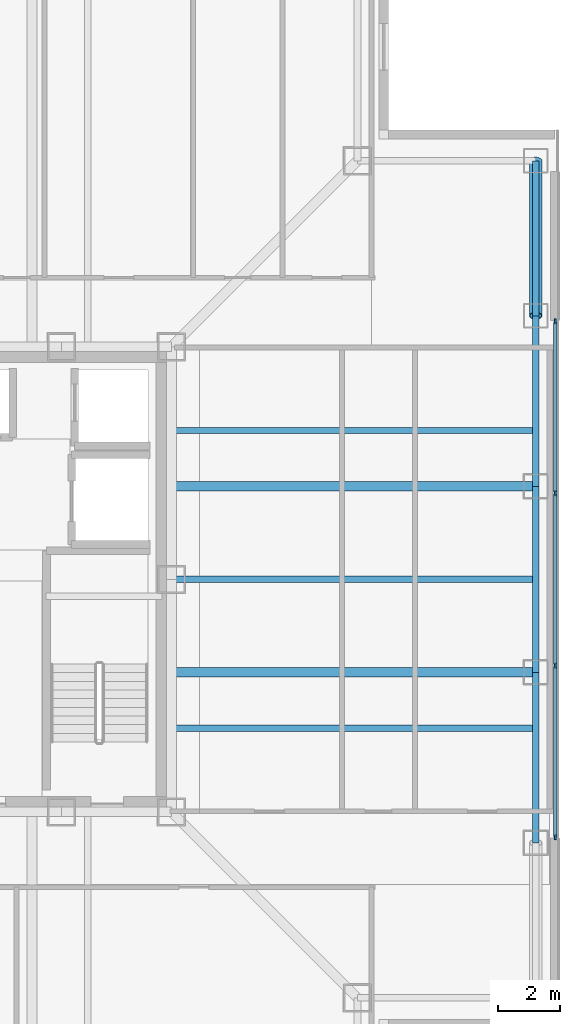
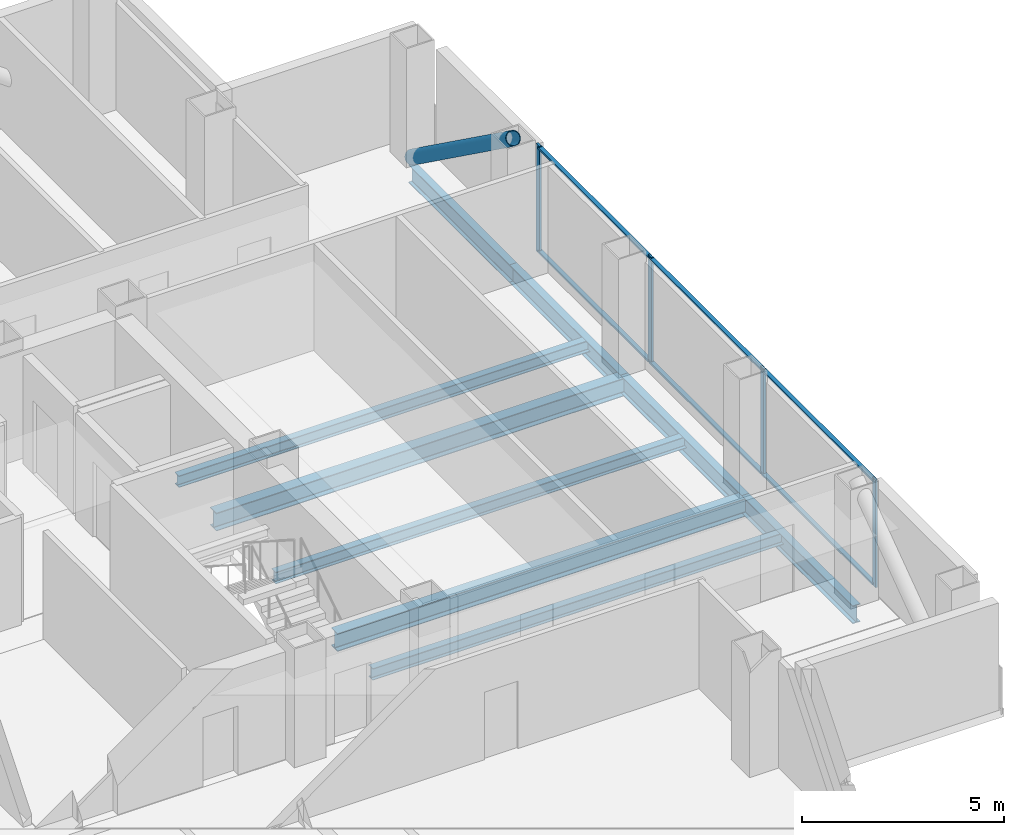
# One storey, part 6 of 16: 11 members, 9 beams, 1 element without a shape of its own.
"""IFC4 building model written with IfcOpenShell, lengths in metres."""

from ifc_helpers import new_model, si_unit, direction, frame, origin, origin_2d, place, context, subcontext, project, spatial, rectangle, hollow_circle, i_section, extrude, material, layer, layer_set, material_profile, profile_set, type_object, element, aggregate, save


model = new_model("IFC4")

# Units and contexts
model_context = context("Model", 3, precision=1e-05, world=origin(), true_north=direction((0.0, 1.0)))
body_context = subcontext(model_context, "Body", "Model", "MODEL_VIEW")
ifc_project = project(units=[si_unit("LENGTHUNIT", "METRE"), si_unit("AREAUNIT", "SQUARE_METRE"), si_unit("VOLUMEUNIT", "CUBIC_METRE"), si_unit("PLANEANGLEUNIT", "RADIAN"), si_unit("MASSUNIT", "GRAM", prefix="KILO")], contexts=[model_context])

# Site, building, storey
site_placement = place(None, origin())
site = spatial("IfcSite", under=ifc_project, at=site_placement, CompositionType="ELEMENT")
building_placement = place(site_placement, origin())
building = spatial("IfcBuilding", under=site, at=building_placement, Name="Trevonay Congress Spire", CompositionType="ELEMENT")
storey_placement = place(building_placement, frame((0.0, 0.0, 223.800048828125)))
storey = spatial("IfcBuildingStorey", under=building, at=storey_placement, Name="L58", CompositionType="ELEMENT", Elevation=223.800048828125)

# Beams
ifc_material_1 = material(Name="Steel ASTM A572 Grade 50", Category="steel")
ifc_material_profile_1 = material_profile(ifc_material_1, i_section(OverallWidth=0.31201171875, OverallDepth=0.54296875, WebThickness=0.0126953125, FlangeThickness=0.020263671875, FilletRadius=0.014892578125, at=origin_2d()), Name="W530x150")
ifc_profile_set_1 = profile_set([ifc_material_profile_1], Name="Steel ASTM A572 Grade 50")
beam_type_1 = type_object("IfcBeamType", Name="BM-GIRD-W530X150", PredefinedType="BEAM", material=ifc_profile_set_1)
for number, where, z_axis, x_axis, name in (
    (1, (7.5, -3.0, -0.511474609375), (1.0, 0.0, 0.0), (0.0, 1.0, 0.0), "L58 structural beam BM-L58-GE-M"),
    (2, (7.5, 3.0, -0.511474609375), (1.0, 0.0, 0.0), (0.0, 1.0, 0.0), "L58 structural beam BM-L58-GE-P"),
):
    element("IfcBeam", number, at=place(storey_placement, frame(where, z_axis=z_axis, x_axis=x_axis)), inside=storey, type_object=beam_type_1, Name=name, PredefinedType="BEAM", context=body_context, shape_type="SweptSolid", body=[
        extrude(i_section(OverallWidth=0.31201171875, OverallDepth=0.54296875, WebThickness=0.0126953125, FlangeThickness=0.020263671875, FilletRadius=0.014892578125, at=origin_2d()), origin(), (0.0, 0.0, 1.0), 11.75),
    ])
ifc_material_profile_2 = material_profile(ifc_material_1, i_section(OverallWidth=0.2119140625, OverallDepth=0.5439453125, WebThickness=0.01318359375, FlangeThickness=0.021240234375, FilletRadius=0.014892578125, at=origin_2d()), Name="W530x123")
ifc_profile_set_2 = profile_set([ifc_material_profile_2], Name="Steel ASTM A572 Grade 50")
beam_type_2 = type_object("IfcBeamType", Name="BM-RING-W530X123", PredefinedType="BEAM", material=ifc_profile_set_2)
beam_1_placement = place(storey_placement, frame((19.25, -8.5, -0.511962890625), z_axis=(0.0, 1.0, 0.0), x_axis=(-1.0, 0.0, 0.0)))
element("IfcBeam", 3, at=beam_1_placement, inside=storey, type_object=beam_type_2, Name="L58 structural beam BM-L58-PE2", PredefinedType="BEAM", context=body_context, shape_type="SweptSolid", body=[
    extrude(i_section(OverallWidth=0.2119140625, OverallDepth=0.5439453125, WebThickness=0.01318359375, FlangeThickness=0.021240234375, FilletRadius=0.014892578125, at=origin_2d()), origin(), (0.0, 0.0, 1.0), 5.5),
])
beam_2_placement = place(storey_placement, frame((19.25, -3.0, -0.511962890625), z_axis=(0.0, 1.0, 0.0), x_axis=(-1.0, 0.0, 0.0)))
element("IfcBeam", 4, at=beam_2_placement, inside=storey, type_object=beam_type_2, Name="L58 structural beam BM-L58-PE3", PredefinedType="BEAM", context=body_context, shape_type="SweptSolid", body=[
    extrude(i_section(OverallWidth=0.2119140625, OverallDepth=0.5439453125, WebThickness=0.01318359375, FlangeThickness=0.021240234375, FilletRadius=0.014892578125, at=origin_2d()), origin(), (0.0, 0.0, 1.0), 6.0),
])
beam_3_placement = place(storey_placement, frame((19.25, 3.0, -0.511962890625), z_axis=(0.0, 1.0, 0.0), x_axis=(-1.0, 0.0, 0.0)))
element("IfcBeam", 5, at=beam_3_placement, inside=storey, type_object=beam_type_2, Name="L58 structural beam BM-L58-PE4", PredefinedType="BEAM", context=body_context, shape_type="SweptSolid", body=[
    extrude(i_section(OverallWidth=0.2119140625, OverallDepth=0.5439453125, WebThickness=0.01318359375, FlangeThickness=0.021240234375, FilletRadius=0.014892578125, at=origin_2d()), origin(), (0.0, 0.0, 1.0), 5.5),
])
beam_4_placement = place(storey_placement, frame((19.25, 8.5, -0.511962890625), z_axis=(0.0, 1.0, 0.0), x_axis=(-1.0, 0.0, 0.0)))
element("IfcBeam", 6, at=beam_4_placement, inside=storey, type_object=beam_type_2, Name="L58 structural beam BM-L58-PE5", PredefinedType="BEAM", context=body_context, shape_type="SweptSolid", body=[
    extrude(i_section(OverallWidth=0.2119140625, OverallDepth=0.5439453125, WebThickness=0.01318359375, FlangeThickness=0.021240234375, FilletRadius=0.014892578125, at=origin_2d()), origin(), (0.0, 0.0, 1.0), 5.0),
])

# Curtain wall, members
ifc_material_2 = material(Name="Pale Anodised Aluminium EN AW-6063-T6", Category="aluminium")
ifc_layer = layer(ifc_material_2, 0.169921875, Name="Pale Anodised Aluminium EN AW-6063-T6")
ifc_layer_set = layer_set([ifc_layer], Name="Pale Anodised Aluminium EN AW-6063-T6")
curtain_wall_type = type_object("IfcCurtainWallType", Name="CW-SYS04-CORP-PALE-METAL", PredefinedType="NOTDEFINED", material=ifc_layer_set)
curtain_wall_placement = place(storey_placement, origin())
curtain_wall = element("IfcCurtainWall", 7, at=curtain_wall_placement, inside=storey, type_object=curtain_wall_type, Name="L58 E unitised curtain wall", PredefinedType="NOTDEFINED")
ifc_material_profile_3 = material_profile(ifc_material_2, rectangle(XDim=0.06005859375, YDim=0.159912109375, at=origin_2d()), Name="CW-MULLION-160-ALUMINIUM")
ifc_profile_set_3 = profile_set([ifc_material_profile_3], Name="Pale Anodised Aluminium EN AW-6063-T6")
member_type_1 = type_object("IfcMemberType", Name="CW-MULLION-160-ALUMINIUM", PredefinedType="MULLION", material=ifc_profile_set_3)
member_1_placement = place(storey_placement, frame((19.8798828125, -8.320068359375, 0.0), z_axis=(0.0, 0.0, 1.0), x_axis=(-1.0, 0.0, 0.0)))
member_1 = element("IfcMember", 8, at=member_1_placement, type_object=member_type_1, Name="CW04 mullion 1", PredefinedType="MULLION", context=body_context, shape_type="SweptSolid", body=[
    extrude(rectangle(XDim=0.06005859375, YDim=0.159912109375, at=origin_2d()), origin(), (0.0, 0.0, 1.0), 3.25),
])
member_2_placement = place(storey_placement, frame((19.8798828125, -2.783447265625, 0.0), z_axis=(0.0, 0.0, 1.0), x_axis=(-1.0, 0.0, 0.0)))
member_2 = element("IfcMember", 9, at=member_2_placement, type_object=member_type_1, Name="CW04 mullion 2", PredefinedType="MULLION", context=body_context, shape_type="SweptSolid", body=[
    extrude(rectangle(XDim=0.06005859375, YDim=0.159912109375, at=origin_2d()), origin(), (0.0, 0.0, 1.0), 3.25),
])
member_3_placement = place(storey_placement, frame((19.8798828125, 2.783447265625, 0.0), z_axis=(0.0, 0.0, 1.0), x_axis=(-1.0, 0.0, 0.0)))
member_3 = element("IfcMember", 10, at=member_3_placement, type_object=member_type_1, Name="CW04 mullion 3", PredefinedType="MULLION", context=body_context, shape_type="SweptSolid", body=[
    extrude(rectangle(XDim=0.06005859375, YDim=0.159912109375, at=origin_2d()), origin(), (0.0, 0.0, 1.0), 3.25),
])
member_4_placement = place(storey_placement, frame((19.8798828125, 8.320068359375, 0.0), z_axis=(0.0, 0.0, 1.0), x_axis=(-1.0, 0.0, 0.0)))
member_4 = element("IfcMember", 11, at=member_4_placement, type_object=member_type_1, Name="CW04 mullion 4", PredefinedType="MULLION", context=body_context, shape_type="SweptSolid", body=[
    extrude(rectangle(XDim=0.06005859375, YDim=0.159912109375, at=origin_2d()), origin(), (0.0, 0.0, 1.0), 3.25),
])
ifc_material_profile_4 = material_profile(ifc_material_2, rectangle(XDim=0.1201171875, YDim=0.06005859375, at=origin_2d()), Name="CW-TRANSOM-120-ALUMINIUM")
ifc_profile_set_4 = profile_set([ifc_material_profile_4], Name="Pale Anodised Aluminium EN AW-6063-T6")
member_type_2 = type_object("IfcMemberType", Name="CW-TRANSOM-120-ALUMINIUM", PredefinedType="USERDEFINED", material=ifc_profile_set_4)
member_5_placement = place(storey_placement, frame((19.8798828125, -8.2900390625, 0.06005859375), z_axis=(0.0, 1.0, 0.0), x_axis=(-1.0, 0.0, 0.0)))
member_5 = element("IfcMember", 12, at=member_5_placement, type_object=member_type_2, Name="CW04 transom 1.1", ObjectType="TRANSOM", PredefinedType="USERDEFINED", context=body_context, shape_type="SweptSolid", body=[
    extrude(rectangle(XDim=0.1201171875, YDim=0.06005859375, at=origin_2d()), origin(), (0.0, 0.0, 1.0), 5.476806640625),
])
member_6_placement = place(storey_placement, frame((19.8798828125, -8.2900390625, 3.18994140625), z_axis=(0.0, 1.0, 0.0), x_axis=(-1.0, 0.0, 0.0)))
member_6 = element("IfcMember", 13, at=member_6_placement, type_object=member_type_2, Name="CW04 transom 1.2", ObjectType="TRANSOM", PredefinedType="USERDEFINED", context=body_context, shape_type="SweptSolid", body=[
    extrude(rectangle(XDim=0.1201171875, YDim=0.06005859375, at=origin_2d()), origin(), (0.0, 0.0, 1.0), 5.476806640625),
])
member_7_placement = place(storey_placement, frame((19.8798828125, -2.75341796875, 0.06005859375), z_axis=(0.0, 1.0, 0.0), x_axis=(-1.0, 0.0, 0.0)))
member_7 = element("IfcMember", 14, at=member_7_placement, type_object=member_type_2, Name="CW04 transom 2.1", ObjectType="TRANSOM", PredefinedType="USERDEFINED", context=body_context, shape_type="SweptSolid", body=[
    extrude(rectangle(XDim=0.1201171875, YDim=0.06005859375, at=origin_2d()), origin(), (0.0, 0.0, 1.0), 5.5068359375),
])
member_8_placement = place(storey_placement, frame((19.8798828125, -2.75341796875, 3.18994140625), z_axis=(0.0, 1.0, 0.0), x_axis=(-1.0, 0.0, 0.0)))
member_8 = element("IfcMember", 15, at=member_8_placement, type_object=member_type_2, Name="CW04 transom 2.2", ObjectType="TRANSOM", PredefinedType="USERDEFINED", context=body_context, shape_type="SweptSolid", body=[
    extrude(rectangle(XDim=0.1201171875, YDim=0.06005859375, at=origin_2d()), origin(), (0.0, 0.0, 1.0), 5.5068359375),
])
member_9_placement = place(storey_placement, frame((19.8798828125, 2.813232421875, 0.06005859375), z_axis=(0.0, 1.0, 0.0), x_axis=(-1.0, 0.0, 0.0)))
member_9 = element("IfcMember", 16, at=member_9_placement, type_object=member_type_2, Name="CW04 transom 3.1", ObjectType="TRANSOM", PredefinedType="USERDEFINED", context=body_context, shape_type="SweptSolid", body=[
    extrude(rectangle(XDim=0.1201171875, YDim=0.06005859375, at=origin_2d()), origin(), (0.0, 0.0, 1.0), 5.476806640625),
])
member_10_placement = place(storey_placement, frame((19.8798828125, 2.813232421875, 3.18994140625), z_axis=(0.0, 1.0, 0.0), x_axis=(-1.0, 0.0, 0.0)))
member_10 = element("IfcMember", 17, at=member_10_placement, type_object=member_type_2, Name="CW04 transom 3.2", ObjectType="TRANSOM", PredefinedType="USERDEFINED", context=body_context, shape_type="SweptSolid", body=[
    extrude(rectangle(XDim=0.1201171875, YDim=0.06005859375, at=origin_2d()), origin(), (0.0, 0.0, 1.0), 5.476806640625),
])
aggregate(curtain_wall, [member_1, member_2, member_3, member_4, member_5, member_6, member_7, member_8, member_9, member_10])

# Beams
ifc_material_profile_5 = material_profile(ifc_material_1, i_section(OverallWidth=0.205078125, OverallDepth=0.35400390625, WebThickness=0.009521484375, FlangeThickness=0.016845703125, FilletRadius=0.011962890625, at=origin_2d()), Name="W360x79")
ifc_profile_set_5 = profile_set([ifc_material_profile_5], Name="Steel ASTM A572 Grade 50")
beam_type_3 = type_object("IfcBeamType", Name="JS-COMP-W360X79", PredefinedType="JOIST", material=ifc_profile_set_5)
for number, where, z_axis, x_axis, name in (
    (18, (7.5, -4.800048828125, -0.4169921875), (1.0, 0.0, 0.0), (0.0, 1.0, 0.0), "L58 structural beam JS-L58-EW-E1"),
    (19, (7.5, 0.0, -0.4169921875), (1.0, 0.0, 0.0), (0.0, 1.0, 0.0), "L58 structural beam JS-L58-EW-E2"),
    (20, (7.5, 4.800048828125, -0.4169921875), (1.0, 0.0, 0.0), (0.0, 1.0, 0.0), "L58 structural beam JS-L58-EW-E3"),
):
    element("IfcBeam", number, at=place(storey_placement, frame(where, z_axis=z_axis, x_axis=x_axis)), inside=storey, type_object=beam_type_3, Name=name, PredefinedType="JOIST", context=body_context, shape_type="SweptSolid", body=[
        extrude(i_section(OverallWidth=0.205078125, OverallDepth=0.35400390625, WebThickness=0.009521484375, FlangeThickness=0.016845703125, FilletRadius=0.011962890625, at=origin_2d()), origin(), (0.0, 0.0, 1.0), 11.75),
    ])

# Member
ifc_material_3 = material(Name="Steel ASTM A500 Grade C", Category="steel")
ifc_material_profile_6 = material_profile(ifc_material_3, hollow_circle(Radius=0.203125, WallThickness=0.02001953125, at=origin_2d()), Name="CHS 406.4x20")
ifc_profile_set_6 = profile_set([ifc_material_profile_6], Name="Steel ASTM A500 Grade C")
member_type_3 = type_object("IfcMemberType", Name="MBR-TUBE-CHS406", PredefinedType="BRACE", material=ifc_profile_set_6)
member_11_placement = place(storey_placement, frame((19.25, 13.5, -0.050048828125), z_axis=(0.0, -0.811526825515, 0.584315164504), x_axis=(1.0, 0.0, 0.0)))
element("IfcMember", 21, at=member_11_placement, inside=storey, type_object=member_type_3, Name="L58 perimeter braced-tube diagonal E4", PredefinedType="BRACE", context=body_context, shape_type="SweptSolid", body=[
    extrude(hollow_circle(Radius=0.203125, WallThickness=0.02001953125, at=origin_2d()), origin(), (0.0, 0.0, 1.0), 6.1611328125),
])

save(model, "model.ifc")
